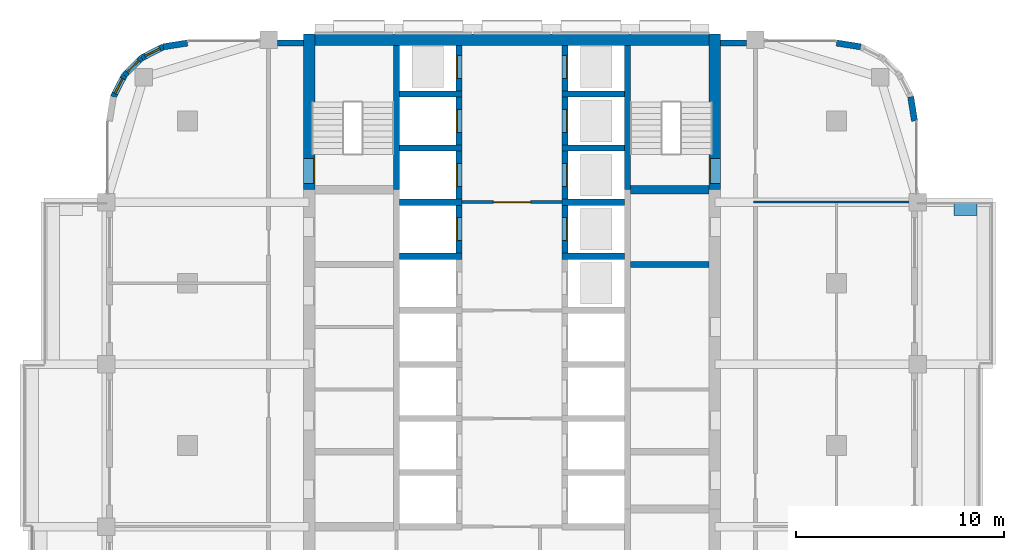
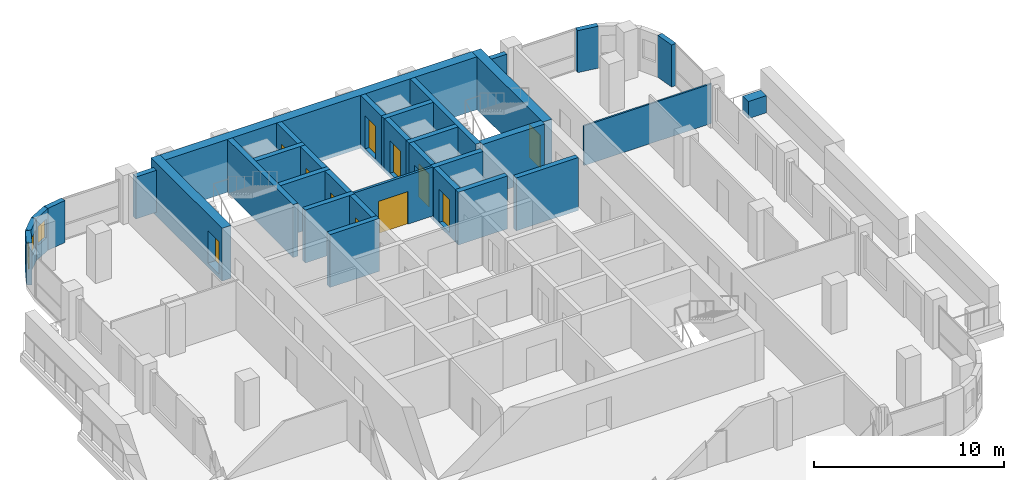
# One storey, part 13 of 19: 34 walls, 11 doors, 3 windows, 14 openings.
"""IFC4 building model written with IfcOpenShell, lengths in metres."""

from ifc_helpers import new_model, si_unit, direction, frame, frame_2d, origin, place, context, subcontext, project, spatial, rectangle, extrude, material, layer, layer_set, type_object, element, fill, save


model = new_model("IFC4")

# Units and contexts
model_context = context("Model", 3, precision=1e-05, world=origin(), true_north=direction((0.0, 1.0)))
body_context = subcontext(model_context, "Body", "Model", "MODEL_VIEW")
ifc_project = project(units=[si_unit("LENGTHUNIT", "METRE"), si_unit("AREAUNIT", "SQUARE_METRE"), si_unit("VOLUMEUNIT", "CUBIC_METRE"), si_unit("PLANEANGLEUNIT", "RADIAN"), si_unit("MASSUNIT", "GRAM", prefix="KILO")], contexts=[model_context])

# Site, building, storey
site_placement = place(None, origin())
site = spatial("IfcSite", under=ifc_project, at=site_placement, CompositionType="ELEMENT")
building_placement = place(site_placement, origin())
building = spatial("IfcBuilding", under=site, at=building_placement, Name="Ludao Terraces", CompositionType="ELEMENT")
storey_placement = place(building_placement, frame((0.0, 0.0, 133.89990234375)))
storey = spatial("IfcBuildingStorey", under=building, at=storey_placement, Name="L36", CompositionType="ELEMENT", Elevation=133.89990234375)

# Wall, opening, door
ifc_material_1 = material(Name="Concrete C60", Category="concrete")
ifc_layer_1 = layer(ifc_material_1, 0.550048828125)
ifc_layer_set_1 = layer_set([ifc_layer_1], Name="Core wall 550 C60")
wall_type_1 = type_object("IfcWallType", Name="Core wall 550 C60", PredefinedType="SOLIDWALL", material=ifc_layer_set_1)
wall_1_placement = place(storey_placement, frame((75.25, 77.300048828125, -0.25), z_axis=(0.0, 0.0, 1.0), x_axis=(0.0, 1.0, 0.0)))
wall_1 = element("IfcWall", 1, at=wall_1_placement, inside=storey, type_object=wall_type_1, Name="Core wall L36 outer-W-S1", PredefinedType="SOLIDWALL", context=body_context, shape_type="SweptSolid", body=[
    extrude(rectangle(XDim=7.474853515625, YDim=0.550048828125, at=frame_2d((3.7373046875, 0.0))), origin(), (0.0, 0.0, 1.0), 3.400146484375),
])
opening_1_placement = place(wall_1_placement, frame((0.300048828125, 0.0, 0.25)))
opening_1 = element("IfcOpeningElement", 2, at=opening_1_placement, cuts=wall_1, Name="Opening C2-040", PredefinedType="OPENING", context=body_context, shape_type="SweptSolid", body=[
    extrude(rectangle(XDim=1.199951171875, YDim=2.10009765625, at=frame_2d((0.60009765625, 1.050048828125))), frame((0.0, 0.28515625, 0.0), z_axis=(0.0, -1.0, 0.0), x_axis=(1.0, 0.0, 0.0)), (0.0, 0.0, 1.0), 0.570068359375),
])
ifc_material_2 = material(Name="Steel Q235", Category="steel")
door_type_1 = type_object("IfcDoorType", Name="INT Stair door 1200", OperationType="DOUBLE_DOOR_SINGLE_SWING", PredefinedType="DOOR", material=ifc_material_2)
door_1_placement = place(opening_1_placement, origin())
door_1 = element("IfcDoor", 3, at=door_1_placement, inside=storey, type_object=door_type_1, Name="DOOR 040", OperationType="DOUBLE_DOOR_SINGLE_SWING", OverallHeight=2.10009765625, OverallWidth=1.199951171875, PredefinedType="DOOR", context=body_context, shape_type="SweptSolid", body=[
    extrude(rectangle(XDim=1.199951171875, YDim=2.10009765625, at=frame_2d((0.60009765625, 1.050048828125))), frame((0.0, -0.2099609375, 0.0), z_axis=(0.0, -1.0, 0.0), x_axis=(1.0, 0.0, 0.0)), (0.0, 0.0, 1.0), 0.050048828125),
])
fill(opening_1, door_1)

wall_2_placement = place(storey_placement, frame((94.75, 77.300048828125, -0.25), z_axis=(0.0, 0.0, 1.0), x_axis=(0.0, 1.0, 0.0)))
wall_2 = element("IfcWall", 4, at=wall_2_placement, inside=storey, type_object=wall_type_1, Name="Core wall L36 outer-E-S2", PredefinedType="SOLIDWALL", context=body_context, shape_type="SweptSolid", body=[
    extrude(rectangle(XDim=7.474853515625, YDim=0.550048828125, at=frame_2d((3.7373046875, 0.0))), origin(), (0.0, 0.0, 1.0), 3.400146484375),
])
opening_2_placement = place(wall_2_placement, frame((0.300048828125, 0.0, 0.25)))
opening_2 = element("IfcOpeningElement", 5, at=opening_2_placement, cuts=wall_2, Name="Opening C2-041", PredefinedType="OPENING", context=body_context, shape_type="SweptSolid", body=[
    extrude(rectangle(XDim=1.199951171875, YDim=2.10009765625, at=frame_2d((0.60009765625, 1.050048828125))), frame((0.0, 0.28515625, 0.0), z_axis=(0.0, -1.0, 0.0), x_axis=(1.0, 0.0, 0.0)), (0.0, 0.0, 1.0), 0.570068359375),
])
door_2_placement = place(opening_2_placement, origin())
door_2 = element("IfcDoor", 6, at=door_2_placement, inside=storey, type_object=door_type_1, Name="DOOR 041", OperationType="DOUBLE_DOOR_SINGLE_SWING", OverallHeight=2.10009765625, OverallWidth=1.199951171875, PredefinedType="DOOR", context=body_context, shape_type="SweptSolid", body=[
    extrude(rectangle(XDim=1.199951171875, YDim=2.10009765625, at=frame_2d((0.60009765625, 1.050048828125))), frame((0.0, 0.26025390625, 0.0), z_axis=(0.0, -1.0, 0.0), x_axis=(1.0, 0.0, 0.0)), (0.0, 0.0, 1.0), 0.050048828125),
])
fill(opening_2, door_2)

# Walls
wall_3_placement = place(storey_placement, frame((75.52490234375, 84.5, -0.25), z_axis=(0.0, 0.0, 1.0), x_axis=(1.0, 0.0, 0.0)))
element("IfcWall", 7, at=wall_3_placement, inside=storey, type_object=wall_type_1, Name="Core wall L36 outer-N", PredefinedType="SOLIDWALL", context=body_context, shape_type="SweptSolid", body=[
    extrude(rectangle(XDim=18.9501953125, YDim=0.550048828125, at=frame_2d((9.47509765625, 0.0))), origin(), (0.0, 0.0, 1.0), 3.400146484375),
])
ifc_material_3 = material(Name="Concrete C40", Category="concrete")
ifc_layer_2 = layer(ifc_material_3, 0.60009765625)
ifc_layer_set_2 = layer_set([ifc_layer_2], Name="ENV Planter trough 600")
wall_type_2 = type_object("IfcWallType", Name="ENV Planter trough 600", PredefinedType="USERDEFINED", material=ifc_layer_set_2)
wall_4_placement = place(storey_placement, frame((107.35009765625, 76.35009765625, 0.0), z_axis=(0.0, 0.0, 1.0), x_axis=(-1.0, 0.0, 0.0)))
element("IfcWall", 8, at=wall_4_placement, inside=storey, type_object=wall_type_2, Name="PL-L36-E3-SB", ObjectType="PLANTER", PredefinedType="USERDEFINED", context=body_context, shape_type="SweptSolid", body=[
    extrude(rectangle(XDim=1.10009765625, YDim=0.60009765625, at=frame_2d((0.550048828125, 0.0))), origin(), (0.0, 0.0, 1.0), 1.10009765625),
])
ifc_material_4 = material(Name="Granite cladding", Category="masonry")
ifc_layer_3 = layer(ifc_material_4, 0.0400390625, Category="stone")
ifc_material_5 = material(Name="Mineral wool")
ifc_layer_4 = layer(ifc_material_5, 0.06005859375)
ifc_layer_5 = layer(ifc_material_3, 0.199951171875, Category="concrete")
ifc_layer_set_3 = layer_set([ifc_layer_3, ifc_layer_4, ifc_layer_5], Name="ENV Stone-clad wall 300")
wall_type_3 = type_object("IfcWallType", Name="ENV Stone-clad wall 300", PredefinedType="SOLIDWALL", material=ifc_layer_set_3)
for number, where, z_axis, x_axis, name in (
    (9, (73.72509765625, 84.35009765625, 0.0), (0.0, 0.0, 1.0), (1.0, 0.0, 0.0), "EW-L36-N2"),
    (10, (95.02490234375, 84.35009765625, 0.0), (0.0, 0.0, 1.0), (1.0, 0.0, 0.0), "EW-L36-N3"),
):
    element("IfcWall", number, at=place(storey_placement, frame(where, z_axis=z_axis, x_axis=x_axis)), inside=storey, type_object=wall_type_3, Name=name, PredefinedType="SOLIDWALL", context=body_context, shape_type="SweptSolid", body=[
        extrude(rectangle(XDim=1.25, YDim=0.300048828125, at=frame_2d((0.625, 0.0))), origin(), (0.0, 0.0, 1.0), 2.7001953125),
    ])
for number, where, z_axis, x_axis, name in (
    (11, (104.35009765625, 80.60009765625, 0.0), (0.0, 0.0, 1.0), (-0.156496880861, 0.987678452879, 0.0), "EW-L36-NE1"),
    (12, (101.7587890625, 84.16650390625, 0.0), (0.0, 0.0, 1.0), (-0.987678452879, 0.156496880861, 0.0), "EW-L36-NE5"),
    (13, (69.39990234375, 84.35009765625, 0.0), (0.0, 0.0, 1.0), (-0.987678452879, -0.156496880861, 0.0), "EW-L36-NW1"),
):
    element("IfcWall", number, at=place(storey_placement, frame(where, z_axis=z_axis, x_axis=x_axis)), inside=storey, type_object=wall_type_3, Name=name, PredefinedType="SOLIDWALL", context=body_context, shape_type="SweptSolid", body=[
        extrude(rectangle(XDim=1.173095703125, YDim=0.300048828125, at=frame_2d((0.58642578125, 0.0))), origin(), (0.0, 0.0, 1.0), 2.7001953125),
    ])

# Wall, opening, window
wall_5_placement = place(storey_placement, frame((68.2412109375, 84.16650390625, 0.0), z_axis=(0.0, 0.0, 1.0), x_axis=(-0.890988677504, -0.454025524128, 0.0)))
wall_5 = element("IfcWall", 14, at=wall_5_placement, inside=storey, type_object=wall_type_3, Name="EW-L36-NW2", PredefinedType="SOLIDWALL", context=body_context, shape_type="SweptSolid", body=[
    extrude(rectangle(XDim=1.17333984375, YDim=0.300048828125, at=frame_2d((0.586669921875, 0.0))), origin(), (0.0, 0.0, 1.0), 2.7001953125),
])
opening_3_placement = place(wall_5_placement, frame((0.1865234375, 0.0, 0.89990234375)))
opening_3 = element("IfcOpeningElement", 15, at=opening_3_placement, cuts=wall_5, Name="Opening W3", PredefinedType="OPENING", context=body_context, shape_type="SweptSolid", body=[
    extrude(rectangle(XDim=0.800048828125, YDim=1.199951171875, at=frame_2d((0.39990234375, 0.60009765625))), frame((0.0, 0.16015625, 0.0), z_axis=(0.0, -1.0, 0.0), x_axis=(1.0, 0.0, 0.0)), (0.0, 0.0, 1.0), 0.320068359375),
])
ifc_material_6 = material(Name="Clear glass in aluminium frame", Category="aluminium")
ifc_layer_6 = layer(ifc_material_6, 0.06005859375)
ifc_layer_set_4 = layer_set([ifc_layer_6], Name="ENV Window W3 800x1200")
window_type = type_object("IfcWindowType", Name="ENV Window W3 800x1200", PartitioningType="SINGLE_PANEL", PredefinedType="WINDOW", material=ifc_layer_set_4)
window_1_placement = place(opening_3_placement, origin())
window_1 = element("IfcWindow", 16, at=window_1_placement, inside=storey, type_object=window_type, Name="W-L36-NW2", OverallHeight=1.199951171875, OverallWidth=0.800048828125, PartitioningType="SINGLE_PANEL", PredefinedType="WINDOW", context=body_context, shape_type="SweptSolid", body=[
    extrude(rectangle(XDim=0.800048828125, YDim=1.199951171875, at=frame_2d((0.39990234375, 0.60009765625))), frame((0.0, 0.030029296875, 0.0), z_axis=(0.0, -1.0, 0.0), x_axis=(1.0, 0.0, 0.0)), (0.0, 0.0, 1.0), 0.06005859375),
])
fill(opening_3, window_1)

wall_6_placement = place(storey_placement, frame((67.19580078125, 83.6337890625, 0.0), z_axis=(0.0, 0.0, 1.0), x_axis=(-0.707106781187, -0.707106781187, 0.0)))
wall_6 = element("IfcWall", 17, at=wall_6_placement, inside=storey, type_object=wall_type_3, Name="EW-L36-NW3", PredefinedType="SOLIDWALL", context=body_context, shape_type="SweptSolid", body=[
    extrude(rectangle(XDim=1.173095703125, YDim=0.300048828125, at=frame_2d((0.58642578125, 0.0))), origin(), (0.0, 0.0, 1.0), 2.7001953125),
])
opening_4_placement = place(wall_6_placement, frame((0.1865234375, 0.0, 0.89990234375)))
opening_4 = element("IfcOpeningElement", 18, at=opening_4_placement, cuts=wall_6, Name="Opening W3", PredefinedType="OPENING", context=body_context, shape_type="SweptSolid", body=[
    extrude(rectangle(XDim=0.800048828125, YDim=1.199951171875, at=frame_2d((0.39990234375, 0.60009765625))), frame((0.0, 0.16015625, 0.0), z_axis=(0.0, -1.0, 0.0), x_axis=(1.0, 0.0, 0.0)), (0.0, 0.0, 1.0), 0.320068359375),
])
window_2_placement = place(opening_4_placement, origin())
window_2 = element("IfcWindow", 19, at=window_2_placement, inside=storey, type_object=window_type, Name="W-L36-NW3", OverallHeight=1.199951171875, OverallWidth=0.800048828125, PartitioningType="SINGLE_PANEL", PredefinedType="WINDOW", context=body_context, shape_type="SweptSolid", body=[
    extrude(rectangle(XDim=0.800048828125, YDim=1.199951171875, at=frame_2d((0.39990234375, 0.60009765625))), frame((0.0, 0.030029296875, 0.0), z_axis=(0.0, -1.0, 0.0), x_axis=(1.0, 0.0, 0.0)), (0.0, 0.0, 1.0), 0.06005859375),
])
fill(opening_4, window_2)

wall_7_placement = place(storey_placement, frame((66.3662109375, 82.80419921875, 0.0), z_axis=(0.0, 0.0, 1.0), x_axis=(-0.454025524128, -0.890988677504, 0.0)))
wall_7 = element("IfcWall", 20, at=wall_7_placement, inside=storey, type_object=wall_type_3, Name="EW-L36-NW4", PredefinedType="SOLIDWALL", context=body_context, shape_type="SweptSolid", body=[
    extrude(rectangle(XDim=1.17333984375, YDim=0.300048828125, at=frame_2d((0.586669921875, 0.0))), origin(), (0.0, 0.0, 1.0), 2.7001953125),
])
opening_5_placement = place(wall_7_placement, frame((0.1865234375, 0.0, 0.89990234375)))
opening_5 = element("IfcOpeningElement", 21, at=opening_5_placement, cuts=wall_7, Name="Opening W3", PredefinedType="OPENING", context=body_context, shape_type="SweptSolid", body=[
    extrude(rectangle(XDim=0.800048828125, YDim=1.199951171875, at=frame_2d((0.39990234375, 0.60009765625))), frame((0.0, 0.16015625, 0.0), z_axis=(0.0, -1.0, 0.0), x_axis=(1.0, 0.0, 0.0)), (0.0, 0.0, 1.0), 0.320068359375),
])
window_3_placement = place(opening_5_placement, origin())
window_3 = element("IfcWindow", 22, at=window_3_placement, inside=storey, type_object=window_type, Name="W-L36-NW4", OverallHeight=1.199951171875, OverallWidth=0.800048828125, PartitioningType="SINGLE_PANEL", PredefinedType="WINDOW", context=body_context, shape_type="SweptSolid", body=[
    extrude(rectangle(XDim=0.800048828125, YDim=1.199951171875, at=frame_2d((0.39990234375, 0.60009765625))), frame((0.0, 0.030029296875, 0.0), z_axis=(0.0, -1.0, 0.0), x_axis=(1.0, 0.0, 0.0)), (0.0, 0.0, 1.0), 0.06005859375),
])
fill(opening_5, window_3)

# Wall, opening, door
ifc_material_7 = material(Name="Fire-rated gypsum plasterboard", Category="gypsum")
ifc_layer_7 = layer(ifc_material_7, 0.012451171875, Category="gypsum")
ifc_layer_8 = layer(ifc_material_5, 0.10009765625, Name="insulation")
ifc_layer_9 = layer(ifc_material_2, 0.02490234375, Name="stud")
ifc_layer_10 = layer(ifc_material_7, 0.012451171875, Category="gypsum")
ifc_layer_set_5 = layer_set([ifc_layer_7, ifc_layer_8, ifc_layer_9, ifc_layer_10], Name="INT Core partition 150")
wall_type_4 = type_object("IfcWallType", Name="INT Core partition 150", PredefinedType="PARTITIONING", material=ifc_layer_set_5)
wall_8_placement = place(storey_placement, frame((82.60009765625, 76.699951171875, 0.0), z_axis=(0.0, 0.0, 1.0), x_axis=(1.0, 0.0, 0.0)))
wall_8 = element("IfcWall", 23, at=wall_8_placement, inside=storey, type_object=wall_type_4, Name="PW-L36-PW010", PredefinedType="PARTITIONING", context=body_context, shape_type="SweptSolid", body=[
    extrude(rectangle(XDim=4.800048828125, YDim=0.14990234375, at=frame_2d((2.39990234375, 0.0))), origin(), (0.0, 0.0, 1.0), 3.150146484375),
])
opening_6_placement = place(wall_8_placement, frame((1.5, 0.0, 0.0)))
opening_6 = element("IfcOpeningElement", 24, at=opening_6_placement, cuts=wall_8, Name="Opening C2-037", PredefinedType="OPENING", context=body_context, shape_type="SweptSolid", body=[
    extrude(rectangle(XDim=1.800048828125, YDim=2.10009765625, at=frame_2d((0.89990234375, 1.050048828125))), frame((0.0, 0.0849609375, 0.0), z_axis=(0.0, -1.0, 0.0), x_axis=(1.0, 0.0, 0.0)), (0.0, 0.0, 1.0), 0.169921875),
])
door_type_2 = type_object("IfcDoorType", Name="INT Fire lobby door 1800", OperationType="DOUBLE_DOOR_SINGLE_SWING", PredefinedType="DOOR", material=ifc_material_2)
door_3_placement = place(opening_6_placement, origin())
door_3 = element("IfcDoor", 25, at=door_3_placement, inside=storey, type_object=door_type_2, Name="DOOR 037", OperationType="DOUBLE_DOOR_SINGLE_SWING", OverallHeight=2.10009765625, OverallWidth=1.800048828125, PredefinedType="DOOR", context=body_context, shape_type="SweptSolid", body=[
    extrude(rectangle(XDim=1.800048828125, YDim=2.10009765625, at=frame_2d((0.89990234375, 1.050048828125))), frame((0.0, 0.02490234375, 0.0), z_axis=(0.0, -1.0, 0.0), x_axis=(1.0, 0.0, 0.0)), (0.0, 0.0, 1.0), 0.050048828125),
])
fill(opening_6, door_3)

# Walls
ifc_material_8 = material(Name="Gypsum plasterboard", Category="gypsum")
ifc_layer_11 = layer(ifc_material_8, 0.012451171875, Category="gypsum")
ifc_layer_12 = layer(ifc_material_5, 0.06005859375, Name="insulation")
ifc_layer_13 = layer(ifc_material_2, 0.014892578125, Name="stud")
ifc_layer_14 = layer(ifc_material_8, 0.012451171875, Category="gypsum")
ifc_layer_set_6 = layer_set([ifc_layer_11, ifc_layer_12, ifc_layer_13, ifc_layer_14], Name="INT Partition 100")
wall_type_5 = type_object("IfcWallType", Name="INT Partition 100", PredefinedType="PARTITIONING", material=ifc_layer_set_6)
wall_9_placement = place(storey_placement, frame((96.60009765625, 76.699951171875, 0.0), z_axis=(0.0, 0.0, 1.0), x_axis=(1.0, 0.0, 0.0)))
element("IfcWall", 26, at=wall_9_placement, inside=storey, type_object=wall_type_5, Name="PW-L36-PW011", PredefinedType="PARTITIONING", context=body_context, shape_type="SweptSolid", body=[
    extrude(rectangle(XDim=7.764892578125, YDim=0.10009765625, at=frame_2d((3.88232421875, 0.0))), origin(), (0.0, 0.0, 1.0), 2.550048828125),
])
ifc_material_9 = material(Name="Concrete C55", Category="concrete")
ifc_layer_15 = layer(ifc_material_9, 0.300048828125)
ifc_layer_set_7 = layer_set([ifc_layer_15], Name="Shaft wall 300 C55")
wall_type_6 = type_object("IfcWallType", Name="Shaft wall 300 C55", PredefinedType="SOLIDWALL", material=ifc_layer_set_7)
for number, where, z_axis, x_axis, name in (
    (27, (79.449951171875, 77.300048828125, -0.25), (0.0, 0.0, 1.0), (0.0, 1.0, 0.0), "Core wall L36 back-W-S1"),
    (28, (90.550048828125, 77.300048828125, -0.25), (0.0, 0.0, 1.0), (0.0, 1.0, 0.0), "Core wall L36 back-E-S2"),
):
    element("IfcWall", number, at=place(storey_placement, frame(where, z_axis=z_axis, x_axis=x_axis)), inside=storey, type_object=wall_type_6, Name=name, PredefinedType="SOLIDWALL", context=body_context, shape_type="SweptSolid", body=[
        extrude(rectangle(XDim=6.925048828125, YDim=0.300048828125, at=frame_2d((3.46240234375, 0.0))), origin(), (0.0, 0.0, 1.0), 3.400146484375),
    ])
wall_10_placement = place(storey_placement, frame((79.60009765625, 74.10009765625, -0.25), z_axis=(0.0, 0.0, 1.0), x_axis=(1.0, 0.0, 0.0)))
element("IfcWall", 29, at=wall_10_placement, inside=storey, type_object=wall_type_6, Name="Core wall L36 div-W6", PredefinedType="SOLIDWALL", context=body_context, shape_type="SweptSolid", body=[
    extrude(rectangle(XDim=3.0, YDim=0.300048828125, at=frame_2d((1.5, 0.0))), origin(), (0.0, 0.0, 1.0), 3.400146484375),
])

# Wall, opening, door
wall_11_placement = place(storey_placement, frame((82.449951171875, 74.25, -0.25), z_axis=(0.0, 0.0, 1.0), x_axis=(0.0, 1.0, 0.0)))
wall_11 = element("IfcWall", 30, at=wall_11_placement, inside=storey, type_object=wall_type_6, Name="Core wall L36 front-W6", PredefinedType="SOLIDWALL", context=body_context, shape_type="SweptSolid", body=[
    extrude(rectangle(XDim=2.300048828125, YDim=0.300048828125, at=frame_2d((1.14990234375, 0.0))), origin(), (0.0, 0.0, 1.0), 3.400146484375),
])
opening_7_placement = place(wall_11_placement, frame((0.60009765625, 0.0, 0.25)))
opening_7 = element("IfcOpeningElement", 31, at=opening_7_placement, cuts=wall_11, Name="Opening LD-LA6", PredefinedType="OPENING", context=body_context, shape_type="SweptSolid", body=[
    extrude(rectangle(XDim=1.10009765625, YDim=2.10009765625, at=frame_2d((0.550048828125, 1.050048828125))), frame((0.0, 0.16015625, 0.0), z_axis=(0.0, -1.0, 0.0), x_axis=(1.0, 0.0, 0.0)), (0.0, 0.0, 1.0), 0.320068359375),
])
ifc_material_10 = material(Name="Stainless steel 304", Category="steel")
door_type_3 = type_object("IfcDoorType", Name="INT Lift landing door 1100", OperationType="SLIDING_TO_LEFT", PredefinedType="DOOR", material=ifc_material_10)
door_4_placement = place(opening_7_placement, origin())
door_4 = element("IfcDoor", 32, at=door_4_placement, inside=storey, type_object=door_type_3, Name="LANDING DOOR LA6 L36", OperationType="SLIDING_TO_LEFT", OverallHeight=2.10009765625, OverallWidth=1.10009765625, PredefinedType="DOOR", context=body_context, shape_type="SweptSolid", body=[
    extrude(rectangle(XDim=1.10009765625, YDim=2.10009765625, at=frame_2d((0.550048828125, 1.050048828125))), frame((0.0, 0.13525390625, 0.0), z_axis=(0.0, -1.0, 0.0), x_axis=(1.0, 0.0, 0.0)), (0.0, 0.0, 1.0), 0.050048828125),
])
fill(opening_7, door_4)

# Wall
wall_12_placement = place(storey_placement, frame((79.60009765625, 76.699951171875, -0.25), z_axis=(0.0, 0.0, 1.0), x_axis=(1.0, 0.0, 0.0)))
element("IfcWall", 33, at=wall_12_placement, inside=storey, type_object=wall_type_6, Name="Core wall L36 div-W7", PredefinedType="SOLIDWALL", context=body_context, shape_type="SweptSolid", body=[
    extrude(rectangle(XDim=3.0, YDim=0.300048828125, at=frame_2d((1.5, 0.0))), origin(), (0.0, 0.0, 1.0), 3.400146484375),
])

# Wall, opening, door
wall_13_placement = place(storey_placement, frame((82.449951171875, 76.85009765625, -0.25), z_axis=(0.0, 0.0, 1.0), x_axis=(0.0, 1.0, 0.0)))
wall_13 = element("IfcWall", 34, at=wall_13_placement, inside=storey, type_object=wall_type_6, Name="Core wall L36 front-W7", PredefinedType="SOLIDWALL", context=body_context, shape_type="SweptSolid", body=[
    extrude(rectangle(XDim=2.2998046875, YDim=0.300048828125, at=frame_2d((1.14990234375, 0.0))), origin(), (0.0, 0.0, 1.0), 3.400146484375),
])
opening_8_placement = place(wall_13_placement, frame((0.60009765625, 0.0, 0.25)))
opening_8 = element("IfcOpeningElement", 35, at=opening_8_placement, cuts=wall_13, Name="Opening LD-FF1", PredefinedType="OPENING", context=body_context, shape_type="SweptSolid", body=[
    extrude(rectangle(XDim=1.10009765625, YDim=2.10009765625, at=frame_2d((0.550048828125, 1.050048828125))), frame((0.0, 0.16015625, 0.0), z_axis=(0.0, -1.0, 0.0), x_axis=(1.0, 0.0, 0.0)), (0.0, 0.0, 1.0), 0.320068359375),
])
door_5_placement = place(opening_8_placement, origin())
door_5 = element("IfcDoor", 36, at=door_5_placement, inside=storey, type_object=door_type_3, Name="LANDING DOOR FF1 L36", OperationType="SLIDING_TO_LEFT", OverallHeight=2.10009765625, OverallWidth=1.10009765625, PredefinedType="DOOR", context=body_context, shape_type="SweptSolid", body=[
    extrude(rectangle(XDim=1.10009765625, YDim=2.10009765625, at=frame_2d((0.550048828125, 1.050048828125))), frame((0.0, 0.13525390625, 0.0), z_axis=(0.0, -1.0, 0.0), x_axis=(1.0, 0.0, 0.0)), (0.0, 0.0, 1.0), 0.050048828125),
])
fill(opening_8, door_5)

# Wall
wall_14_placement = place(storey_placement, frame((79.60009765625, 79.300048828125, -0.25), z_axis=(0.0, 0.0, 1.0), x_axis=(1.0, 0.0, 0.0)))
element("IfcWall", 37, at=wall_14_placement, inside=storey, type_object=wall_type_6, Name="Core wall L36 div-W8", PredefinedType="SOLIDWALL", context=body_context, shape_type="SweptSolid", body=[
    extrude(rectangle(XDim=3.0, YDim=0.300048828125, at=frame_2d((1.5, 0.0))), origin(), (0.0, 0.0, 1.0), 3.400146484375),
])

# Wall, opening, door
wall_15_placement = place(storey_placement, frame((82.449951171875, 79.449951171875, -0.25), z_axis=(0.0, 0.0, 1.0), x_axis=(0.0, 1.0, 0.0)))
wall_15 = element("IfcWall", 38, at=wall_15_placement, inside=storey, type_object=wall_type_6, Name="Core wall L36 front-W8", PredefinedType="SOLIDWALL", context=body_context, shape_type="SweptSolid", body=[
    extrude(rectangle(XDim=2.300048828125, YDim=0.300048828125, at=frame_2d((1.14990234375, 0.0))), origin(), (0.0, 0.0, 1.0), 3.400146484375),
])
opening_9_placement = place(wall_15_placement, frame((0.60009765625, 0.0, 0.25)))
opening_9 = element("IfcOpeningElement", 39, at=opening_9_placement, cuts=wall_15, Name="Opening LD-FF2", PredefinedType="OPENING", context=body_context, shape_type="SweptSolid", body=[
    extrude(rectangle(XDim=1.10009765625, YDim=2.10009765625, at=frame_2d((0.550048828125, 1.050048828125))), frame((0.0, 0.16015625, 0.0), z_axis=(0.0, -1.0, 0.0), x_axis=(1.0, 0.0, 0.0)), (0.0, 0.0, 1.0), 0.320068359375),
])
door_6_placement = place(opening_9_placement, origin())
door_6 = element("IfcDoor", 40, at=door_6_placement, inside=storey, type_object=door_type_3, Name="LANDING DOOR FF2 L36", OperationType="SLIDING_TO_LEFT", OverallHeight=2.10009765625, OverallWidth=1.10009765625, PredefinedType="DOOR", context=body_context, shape_type="SweptSolid", body=[
    extrude(rectangle(XDim=1.10009765625, YDim=2.10009765625, at=frame_2d((0.550048828125, 1.050048828125))), frame((0.0, 0.13525390625, 0.0), z_axis=(0.0, -1.0, 0.0), x_axis=(1.0, 0.0, 0.0)), (0.0, 0.0, 1.0), 0.050048828125),
])
fill(opening_9, door_6)

# Wall
wall_16_placement = place(storey_placement, frame((79.60009765625, 81.89990234375, -0.25), z_axis=(0.0, 0.0, 1.0), x_axis=(1.0, 0.0, 0.0)))
element("IfcWall", 41, at=wall_16_placement, inside=storey, type_object=wall_type_6, Name="Core wall L36 div-W9", PredefinedType="SOLIDWALL", context=body_context, shape_type="SweptSolid", body=[
    extrude(rectangle(XDim=3.0, YDim=0.300048828125, at=frame_2d((1.5, 0.0))), origin(), (0.0, 0.0, 1.0), 3.400146484375),
])

# Wall, opening, door
wall_17_placement = place(storey_placement, frame((82.449951171875, 82.050048828125, -0.25), z_axis=(0.0, 0.0, 1.0), x_axis=(0.0, 1.0, 0.0)))
wall_17 = element("IfcWall", 42, at=wall_17_placement, inside=storey, type_object=wall_type_6, Name="Core wall L36 front-W9", PredefinedType="SOLIDWALL", context=body_context, shape_type="SweptSolid", body=[
    extrude(rectangle(XDim=2.175048828125, YDim=0.300048828125, at=frame_2d((1.08740234375, 0.0))), origin(), (0.0, 0.0, 1.0), 3.400146484375),
])
opening_10_placement = place(wall_17_placement, frame((0.60009765625, 0.0, 0.25)))
opening_10 = element("IfcOpeningElement", 43, at=opening_10_placement, cuts=wall_17, Name="Opening LD-LB6", PredefinedType="OPENING", context=body_context, shape_type="SweptSolid", body=[
    extrude(rectangle(XDim=1.10009765625, YDim=2.10009765625, at=frame_2d((0.550048828125, 1.050048828125))), frame((0.0, 0.16015625, 0.0), z_axis=(0.0, -1.0, 0.0), x_axis=(1.0, 0.0, 0.0)), (0.0, 0.0, 1.0), 0.320068359375),
])
door_7_placement = place(opening_10_placement, origin())
door_7 = element("IfcDoor", 44, at=door_7_placement, inside=storey, type_object=door_type_3, Name="LANDING DOOR LB6 L36", OperationType="SLIDING_TO_RIGHT", OverallHeight=2.10009765625, OverallWidth=1.10009765625, PredefinedType="DOOR", context=body_context, shape_type="SweptSolid", body=[
    extrude(rectangle(XDim=1.10009765625, YDim=2.10009765625, at=frame_2d((0.550048828125, 1.050048828125))), frame((0.0, 0.13525390625, 0.0), z_axis=(0.0, -1.0, 0.0), x_axis=(1.0, 0.0, 0.0)), (0.0, 0.0, 1.0), 0.050048828125),
])
fill(opening_10, door_7)

# Wall
wall_18_placement = place(storey_placement, frame((87.39990234375, 74.10009765625, -0.25), z_axis=(0.0, 0.0, 1.0), x_axis=(1.0, 0.0, 0.0)))
element("IfcWall", 45, at=wall_18_placement, inside=storey, type_object=wall_type_6, Name="Core wall L36 div-E6", PredefinedType="SOLIDWALL", context=body_context, shape_type="SweptSolid", body=[
    extrude(rectangle(XDim=3.0, YDim=0.300048828125, at=frame_2d((1.5, 0.0))), origin(), (0.0, 0.0, 1.0), 3.400146484375),
])

# Wall, opening, door
wall_19_placement = place(storey_placement, frame((87.550048828125, 74.25, -0.25), z_axis=(0.0, 0.0, 1.0), x_axis=(0.0, 1.0, 0.0)))
wall_19 = element("IfcWall", 46, at=wall_19_placement, inside=storey, type_object=wall_type_6, Name="Core wall L36 front-E6", PredefinedType="SOLIDWALL", context=body_context, shape_type="SweptSolid", body=[
    extrude(rectangle(XDim=2.300048828125, YDim=0.300048828125, at=frame_2d((1.14990234375, 0.0))), origin(), (0.0, 0.0, 1.0), 3.400146484375),
])
opening_11_placement = place(wall_19_placement, frame((0.60009765625, 0.0, 0.25)))
opening_11 = element("IfcOpeningElement", 47, at=opening_11_placement, cuts=wall_19, Name="Opening LD-LB2", PredefinedType="OPENING", context=body_context, shape_type="SweptSolid", body=[
    extrude(rectangle(XDim=1.10009765625, YDim=2.10009765625, at=frame_2d((0.550048828125, 1.050048828125))), frame((0.0, 0.16015625, 0.0), z_axis=(0.0, -1.0, 0.0), x_axis=(1.0, 0.0, 0.0)), (0.0, 0.0, 1.0), 0.320068359375),
])
door_8_placement = place(opening_11_placement, origin())
door_8 = element("IfcDoor", 48, at=door_8_placement, inside=storey, type_object=door_type_3, Name="LANDING DOOR LB2 L36", OperationType="SLIDING_TO_LEFT", OverallHeight=2.10009765625, OverallWidth=1.10009765625, PredefinedType="DOOR", context=body_context, shape_type="SweptSolid", body=[
    extrude(rectangle(XDim=1.10009765625, YDim=2.10009765625, at=frame_2d((0.550048828125, 1.050048828125))), frame((0.0, -0.0849609375, 0.0), z_axis=(0.0, -1.0, 0.0), x_axis=(1.0, 0.0, 0.0)), (0.0, 0.0, 1.0), 0.050048828125),
])
fill(opening_11, door_8)

# Wall
wall_20_placement = place(storey_placement, frame((87.39990234375, 76.699951171875, -0.25), z_axis=(0.0, 0.0, 1.0), x_axis=(1.0, 0.0, 0.0)))
element("IfcWall", 49, at=wall_20_placement, inside=storey, type_object=wall_type_6, Name="Core wall L36 div-E7", PredefinedType="SOLIDWALL", context=body_context, shape_type="SweptSolid", body=[
    extrude(rectangle(XDim=3.0, YDim=0.300048828125, at=frame_2d((1.5, 0.0))), origin(), (0.0, 0.0, 1.0), 3.400146484375),
])

# Wall, opening, door
wall_21_placement = place(storey_placement, frame((87.550048828125, 76.85009765625, -0.25), z_axis=(0.0, 0.0, 1.0), x_axis=(0.0, 1.0, 0.0)))
wall_21 = element("IfcWall", 50, at=wall_21_placement, inside=storey, type_object=wall_type_6, Name="Core wall L36 front-E7", PredefinedType="SOLIDWALL", context=body_context, shape_type="SweptSolid", body=[
    extrude(rectangle(XDim=2.2998046875, YDim=0.300048828125, at=frame_2d((1.14990234375, 0.0))), origin(), (0.0, 0.0, 1.0), 3.400146484375),
])
opening_12_placement = place(wall_21_placement, frame((0.60009765625, 0.0, 0.25)))
opening_12 = element("IfcOpeningElement", 51, at=opening_12_placement, cuts=wall_21, Name="Opening LD-LB3", PredefinedType="OPENING", context=body_context, shape_type="SweptSolid", body=[
    extrude(rectangle(XDim=1.10009765625, YDim=2.10009765625, at=frame_2d((0.550048828125, 1.050048828125))), frame((0.0, 0.16015625, 0.0), z_axis=(0.0, -1.0, 0.0), x_axis=(1.0, 0.0, 0.0)), (0.0, 0.0, 1.0), 0.320068359375),
])
door_9_placement = place(opening_12_placement, origin())
door_9 = element("IfcDoor", 52, at=door_9_placement, inside=storey, type_object=door_type_3, Name="LANDING DOOR LB3 L36", OperationType="SLIDING_TO_LEFT", OverallHeight=2.10009765625, OverallWidth=1.10009765625, PredefinedType="DOOR", context=body_context, shape_type="SweptSolid", body=[
    extrude(rectangle(XDim=1.10009765625, YDim=2.10009765625, at=frame_2d((0.550048828125, 1.050048828125))), frame((0.0, -0.0849609375, 0.0), z_axis=(0.0, -1.0, 0.0), x_axis=(1.0, 0.0, 0.0)), (0.0, 0.0, 1.0), 0.050048828125),
])
fill(opening_12, door_9)

# Wall
wall_22_placement = place(storey_placement, frame((87.39990234375, 79.300048828125, -0.25), z_axis=(0.0, 0.0, 1.0), x_axis=(1.0, 0.0, 0.0)))
element("IfcWall", 53, at=wall_22_placement, inside=storey, type_object=wall_type_6, Name="Core wall L36 div-E8", PredefinedType="SOLIDWALL", context=body_context, shape_type="SweptSolid", body=[
    extrude(rectangle(XDim=3.0, YDim=0.300048828125, at=frame_2d((1.5, 0.0))), origin(), (0.0, 0.0, 1.0), 3.400146484375),
])

# Wall, opening, door
wall_23_placement = place(storey_placement, frame((87.550048828125, 79.449951171875, -0.25), z_axis=(0.0, 0.0, 1.0), x_axis=(0.0, 1.0, 0.0)))
wall_23 = element("IfcWall", 54, at=wall_23_placement, inside=storey, type_object=wall_type_6, Name="Core wall L36 front-E8", PredefinedType="SOLIDWALL", context=body_context, shape_type="SweptSolid", body=[
    extrude(rectangle(XDim=2.300048828125, YDim=0.300048828125, at=frame_2d((1.14990234375, 0.0))), origin(), (0.0, 0.0, 1.0), 3.400146484375),
])
opening_13_placement = place(wall_23_placement, frame((0.60009765625, 0.0, 0.25)))
opening_13 = element("IfcOpeningElement", 55, at=opening_13_placement, cuts=wall_23, Name="Opening LD-LB4", PredefinedType="OPENING", context=body_context, shape_type="SweptSolid", body=[
    extrude(rectangle(XDim=1.10009765625, YDim=2.10009765625, at=frame_2d((0.550048828125, 1.050048828125))), frame((0.0, 0.16015625, 0.0), z_axis=(0.0, -1.0, 0.0), x_axis=(1.0, 0.0, 0.0)), (0.0, 0.0, 1.0), 0.320068359375),
])
door_10_placement = place(opening_13_placement, origin())
door_10 = element("IfcDoor", 56, at=door_10_placement, inside=storey, type_object=door_type_3, Name="LANDING DOOR LB4 L36", OperationType="SLIDING_TO_RIGHT", OverallHeight=2.10009765625, OverallWidth=1.10009765625, PredefinedType="DOOR", context=body_context, shape_type="SweptSolid", body=[
    extrude(rectangle(XDim=1.10009765625, YDim=2.10009765625, at=frame_2d((0.550048828125, 1.050048828125))), frame((0.0, -0.0849609375, 0.0), z_axis=(0.0, -1.0, 0.0), x_axis=(1.0, 0.0, 0.0)), (0.0, 0.0, 1.0), 0.050048828125),
])
fill(opening_13, door_10)

# Wall
wall_24_placement = place(storey_placement, frame((87.39990234375, 81.89990234375, -0.25), z_axis=(0.0, 0.0, 1.0), x_axis=(1.0, 0.0, 0.0)))
element("IfcWall", 57, at=wall_24_placement, inside=storey, type_object=wall_type_6, Name="Core wall L36 div-E9", PredefinedType="SOLIDWALL", context=body_context, shape_type="SweptSolid", body=[
    extrude(rectangle(XDim=3.0, YDim=0.300048828125, at=frame_2d((1.5, 0.0))), origin(), (0.0, 0.0, 1.0), 3.400146484375),
])

# Wall, opening, door
wall_25_placement = place(storey_placement, frame((87.550048828125, 82.050048828125, -0.25), z_axis=(0.0, 0.0, 1.0), x_axis=(0.0, 1.0, 0.0)))
wall_25 = element("IfcWall", 58, at=wall_25_placement, inside=storey, type_object=wall_type_6, Name="Core wall L36 front-E9", PredefinedType="SOLIDWALL", context=body_context, shape_type="SweptSolid", body=[
    extrude(rectangle(XDim=2.175048828125, YDim=0.300048828125, at=frame_2d((1.08740234375, 0.0))), origin(), (0.0, 0.0, 1.0), 3.400146484375),
])
opening_14_placement = place(wall_25_placement, frame((0.60009765625, 0.0, 0.25)))
opening_14 = element("IfcOpeningElement", 59, at=opening_14_placement, cuts=wall_25, Name="Opening LD-LB5", PredefinedType="OPENING", context=body_context, shape_type="SweptSolid", body=[
    extrude(rectangle(XDim=1.10009765625, YDim=2.10009765625, at=frame_2d((0.550048828125, 1.050048828125))), frame((0.0, 0.16015625, 0.0), z_axis=(0.0, -1.0, 0.0), x_axis=(1.0, 0.0, 0.0)), (0.0, 0.0, 1.0), 0.320068359375),
])
door_11_placement = place(opening_14_placement, origin())
door_11 = element("IfcDoor", 60, at=door_11_placement, inside=storey, type_object=door_type_3, Name="LANDING DOOR LB5 L36", OperationType="SLIDING_TO_RIGHT", OverallHeight=2.10009765625, OverallWidth=1.10009765625, PredefinedType="DOOR", context=body_context, shape_type="SweptSolid", body=[
    extrude(rectangle(XDim=1.10009765625, YDim=2.10009765625, at=frame_2d((0.550048828125, 1.050048828125))), frame((0.0, -0.0849609375, 0.0), z_axis=(0.0, -1.0, 0.0), x_axis=(1.0, 0.0, 0.0)), (0.0, 0.0, 1.0), 0.050048828125),
])
fill(opening_14, door_11)

# Walls
wall_26_placement = place(storey_placement, frame((90.699951171875, 73.699951171875, -0.25), z_axis=(0.0, 0.0, 1.0), x_axis=(1.0, 0.0, 0.0)))
element("IfcWall", 61, at=wall_26_placement, inside=storey, type_object=wall_type_6, Name="Core wall L36 riser-b-E", PredefinedType="SOLIDWALL", context=body_context, shape_type="SweptSolid", body=[
    extrude(rectangle(XDim=3.775146484375, YDim=0.300048828125, at=frame_2d((1.8876953125, 0.0))), origin(), (0.0, 0.0, 1.0), 3.400146484375),
])
ifc_layer_16 = layer(ifc_material_9, 0.39990234375)
ifc_layer_set_8 = layer_set([ifc_layer_16], Name="Shaft wall 400 C55")
wall_type_7 = type_object("IfcWallType", Name="Shaft wall 400 C55", PredefinedType="SOLIDWALL", material=ifc_layer_set_8)
wall_27_placement = place(storey_placement, frame((90.699951171875, 77.300048828125, -0.25), z_axis=(0.0, 0.0, 1.0), x_axis=(1.0, 0.0, 0.0)))
element("IfcWall", 62, at=wall_27_placement, inside=storey, type_object=wall_type_7, Name="Core wall L36 stair-E", PredefinedType="SOLIDWALL", context=body_context, shape_type="SweptSolid", body=[
    extrude(rectangle(XDim=3.775146484375, YDim=0.39990234375, at=frame_2d((1.8876953125, 0.0))), origin(), (0.0, 0.0, 1.0), 3.400146484375),
])

save(model, "model.ifc")
